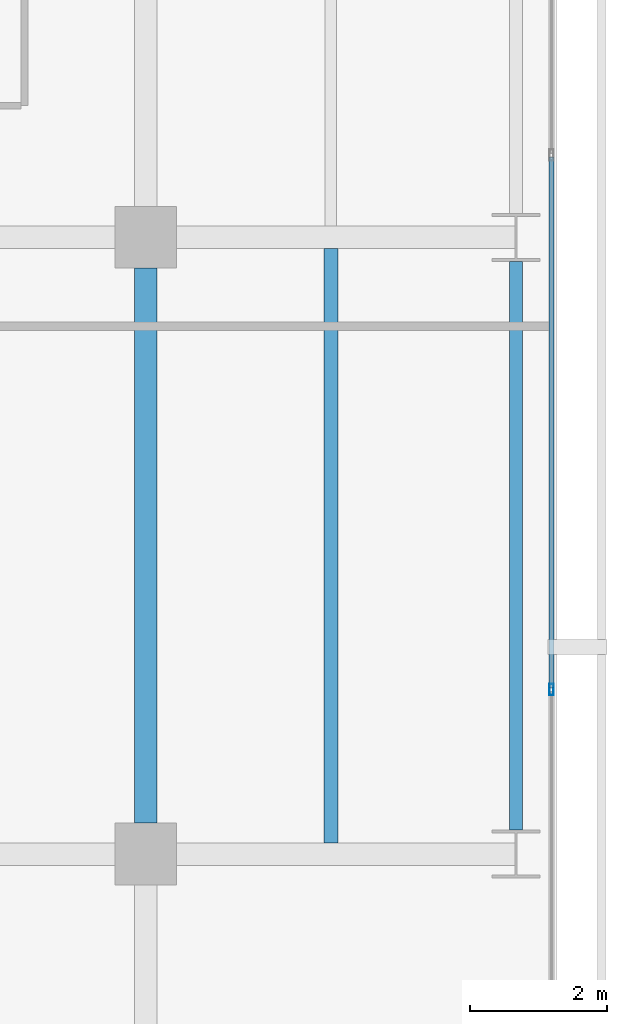
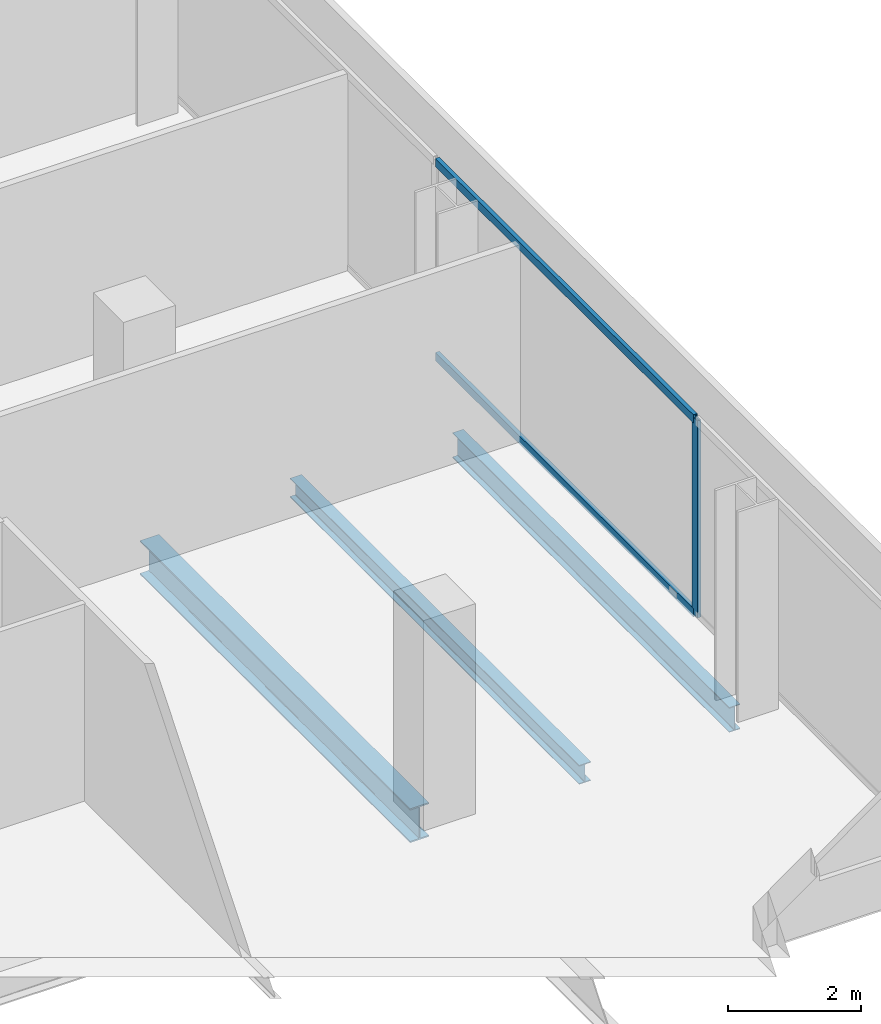
# One storey, part 17 of 39: 3 beams, 3 members, 1 element without a shape of its own.
"""IFC4 building model written with IfcOpenShell, lengths in metres."""

from ifc_helpers import new_model, si_unit, direction, frame, origin, origin_2d, place, context, subcontext, project, spatial, hollow_rectangle, i_section, extrude, material, layer, layer_set, material_profile, profile_set, type_object, element, aggregate, save


model = new_model("IFC4")

# Units and contexts
model_context = context("Model", 3, precision=1e-05, world=origin(), true_north=direction((0.0, 1.0)))
body_context = subcontext(model_context, "Body", "Model", "MODEL_VIEW")
ifc_project = project(units=[si_unit("LENGTHUNIT", "METRE"), si_unit("AREAUNIT", "SQUARE_METRE"), si_unit("VOLUMEUNIT", "CUBIC_METRE"), si_unit("PLANEANGLEUNIT", "RADIAN"), si_unit("MASSUNIT", "GRAM", prefix="KILO")], contexts=[model_context])

# Site, building, storey
site_placement = place(None, origin())
site = spatial("IfcSite", under=ifc_project, at=site_placement, CompositionType="ELEMENT")
building_placement = place(site_placement, origin())
building = spatial("IfcBuilding", under=site, at=building_placement, Name="Maruvema Waterfront Hotel and Observation Tower", CompositionType="ELEMENT")
storey_placement = place(building_placement, frame((0.0, 0.0, 46.199951171875)))
storey = spatial("IfcBuildingStorey", under=building, at=storey_placement, Name="L10", CompositionType="ELEMENT", Elevation=46.199951171875)

# Curtain wall, members
ifc_material_1 = material(Name="Anodised bronze aluminium and solar-control low-E IGU", Category="aluminium")
ifc_layer = layer(ifc_material_1, 0.159912109375, Name="Zone 1 Bronze Inner Thermal Curtain Wall System CW-02")
ifc_layer_set = layer_set([ifc_layer], Name="Anodised bronze aluminium and solar-control low-E IGU")
curtain_wall_type = type_object("IfcCurtainWallType", Name="Zone 1 Bronze Inner Thermal Curtain Wall System CW-02", PredefinedType="USERDEFINED", material=ifc_layer_set)
curtain_wall_placement = place(storey_placement, origin())
curtain_wall = element("IfcCurtainWall", 1, at=curtain_wall_placement, inside=storey, type_object=curtain_wall_type, Name="L10 Curtain Wall CW-L10-E", ObjectType="UNITISED CURTAIN WALL", PredefinedType="USERDEFINED")
ifc_material_2 = material(Name="Anodised architectural bronze aluminium", Category="aluminium")
ifc_material_profile_1 = material_profile(ifc_material_2, hollow_rectangle(XDim=0.070068359375, YDim=0.14990234375, WallThickness=0.00390625, at=origin_2d()), Name="ALU-T70x150")
ifc_profile_set_1 = profile_set([ifc_material_profile_1], Name="Anodised architectural bronze aluminium")
member_type_1 = type_object("IfcMemberType", Name="Curtain Wall Horizontal Transom ALU-T70x150", PredefinedType="USERDEFINED", material=ifc_profile_set_1)
member_1_placement = place(storey_placement, frame((64.719970703125, 11.429931640625, 0.030029296875), z_axis=(0.0, 1.0, 0.0), x_axis=(-1.0, 0.0, 0.0)))
member_1 = element("IfcMember", 2, at=member_1_placement, type_object=member_type_1, Name="CW-02 transom 2.1", ObjectType="TRANSOM", PredefinedType="USERDEFINED", context=body_context, shape_type="SweptSolid", body=[
    extrude(hollow_rectangle(XDim=0.070068359375, YDim=0.14990234375, WallThickness=0.00390625, at=origin_2d()), origin(), (0.0, 0.0, 1.0), 7.739990234375),
])
member_2_placement = place(storey_placement, frame((64.719970703125, 11.429931640625, 3.580078125), z_axis=(0.0, 1.0, 0.0), x_axis=(-1.0, 0.0, 0.0)))
member_2 = element("IfcMember", 3, at=member_2_placement, type_object=member_type_1, Name="CW-02 transom 2.2", ObjectType="TRANSOM", PredefinedType="USERDEFINED", context=body_context, shape_type="SweptSolid", body=[
    extrude(hollow_rectangle(XDim=0.070068359375, YDim=0.14990234375, WallThickness=0.00390625, at=origin_2d()), origin(), (0.0, 0.0, 1.0), 7.739990234375),
])
ifc_material_3 = material(Name="Anodised architectural bronze aluminium", Category="aluminium")
ifc_material_profile_2 = material_profile(ifc_material_3, hollow_rectangle(XDim=0.06494140625, YDim=0.1650390625, WallThickness=0.00390625, at=origin_2d()), Name="ALU-M65x165")
ifc_profile_set_2 = profile_set([ifc_material_profile_2], Name="Anodised architectural bronze aluminium")
member_type_2 = type_object("IfcMemberType", Name="Curtain Wall Primary Mullion ALU-M65x165", PredefinedType="MULLION", material=ifc_profile_set_2)
member_3_placement = place(storey_placement, frame((64.719970703125, 11.39990234375, 0.0), z_axis=(0.0, 0.0, 1.0), x_axis=(-1.0, 0.0, 0.0)))
member_3 = element("IfcMember", 4, at=member_3_placement, type_object=member_type_2, Name="CW-02 mullion 2", PredefinedType="MULLION", context=body_context, shape_type="SweptSolid", body=[
    extrude(hollow_rectangle(XDim=0.06494140625, YDim=0.1650390625, WallThickness=0.00390625, at=origin_2d()), origin(), (0.0, 0.0, 1.0), 3.610107421875),
])
aggregate(curtain_wall, [member_3, member_1, member_2])

# Beams
ifc_material_4 = material(Name="Steel ASTM A572 Grade 50", Category="steel")
ifc_material_profile_3 = material_profile(ifc_material_4, i_section(OverallWidth=0.18994140625, OverallDepth=0.45703125, WebThickness=0.009033203125, FlangeThickness=0.014404296875, FilletRadius=0.014892578125, at=origin_2d()), Name="W460x74.0")
ifc_profile_set_3 = profile_set([ifc_material_profile_3], Name="Steel ASTM A572 Grade 50")
beam_type_1 = type_object("IfcBeamType", Name="Perimeter Spandrel Beam W460x74.0", PredefinedType="SPANDREL", material=ifc_profile_set_3)
beam_1_placement = place(storey_placement, frame((64.199951171875, 9.35009765625, -0.468505859375), z_axis=(0.0, 1.0, 0.0), x_axis=(-1.0, 0.0, 0.0)))
element("IfcBeam", 5, at=beam_1_placement, inside=storey, type_object=beam_type_1, Name="L10 Floor Girder NS-33", PredefinedType="SPANDREL", context=body_context, shape_type="SweptSolid", body=[
    extrude(i_section(OverallWidth=0.18994140625, OverallDepth=0.45703125, WebThickness=0.009033203125, FlangeThickness=0.014404296875, FilletRadius=0.014892578125, at=origin_2d()), origin(), (0.0, 0.0, 1.0), 8.2998046875),
])
ifc_material_5 = material(Name="Steel ASTM A572 Grade 50", Category="steel")
ifc_material_profile_4 = material_profile(ifc_material_5, i_section(OverallWidth=0.326904296875, OverallDepth=0.6220703125, WebThickness=0.015380859375, FlangeThickness=0.0244140625, FilletRadius=0.01806640625, at=origin_2d()), Name="W610x195.0")
ifc_profile_set_4 = profile_set([ifc_material_profile_4], Name="Steel ASTM A572 Grade 50")
beam_type_2 = type_object("IfcBeamType", Name="Primary Floor Girder W610x195.0", PredefinedType="BEAM", material=ifc_profile_set_4)
beam_2_placement = place(storey_placement, frame((58.800048828125, 9.449951171875, -0.551025390625), z_axis=(0.0, 1.0, 0.0), x_axis=(-1.0, 0.0, 0.0)))
element("IfcBeam", 6, at=beam_2_placement, inside=storey, type_object=beam_type_2, Name="L10 Floor Girder NS-28", PredefinedType="BEAM", context=body_context, shape_type="SweptSolid", body=[
    extrude(i_section(OverallWidth=0.326904296875, OverallDepth=0.6220703125, WebThickness=0.015380859375, FlangeThickness=0.0244140625, FilletRadius=0.01806640625, at=origin_2d()), origin(), (0.0, 0.0, 1.0), 8.10009765625),
])
ifc_material_6 = material(Name="Steel ASTM A572 Grade 50", Category="steel")
ifc_material_profile_5 = material_profile(ifc_material_6, i_section(OverallWidth=0.202880859375, OverallDepth=0.346923828125, WebThickness=0.0078125, FlangeThickness=0.013427734375, FilletRadius=0.014892578125, at=origin_2d()), Name="W360x64.0")
ifc_profile_set_5 = profile_set([ifc_material_profile_5], Name="Steel ASTM A572 Grade 50")
beam_type_3 = type_object("IfcBeamType", Name="Secondary Floor Joist W360x64.0", PredefinedType="JOIST", material=ifc_profile_set_5)
beam_3_placement = place(storey_placement, frame((61.5, 9.16357421875, -0.413330078125), z_axis=(0.0, 1.0, 0.0), x_axis=(-1.0, 0.0, 0.0)))
element("IfcBeam", 7, at=beam_3_placement, inside=storey, type_object=beam_type_3, Name="L10 Secondary Floor Joist JS-21", PredefinedType="JOIST", context=body_context, shape_type="SweptSolid", body=[
    extrude(i_section(OverallWidth=0.202880859375, OverallDepth=0.346923828125, WebThickness=0.0078125, FlangeThickness=0.013427734375, FilletRadius=0.014892578125, at=origin_2d()), origin(), (0.0, 0.0, 1.0), 8.6728515625),
])

save(model, "model.ifc")
